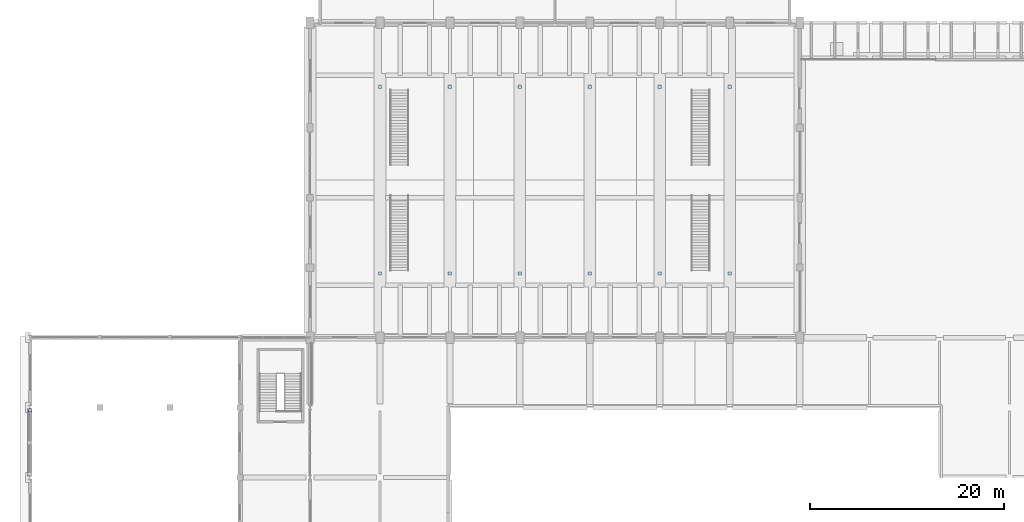
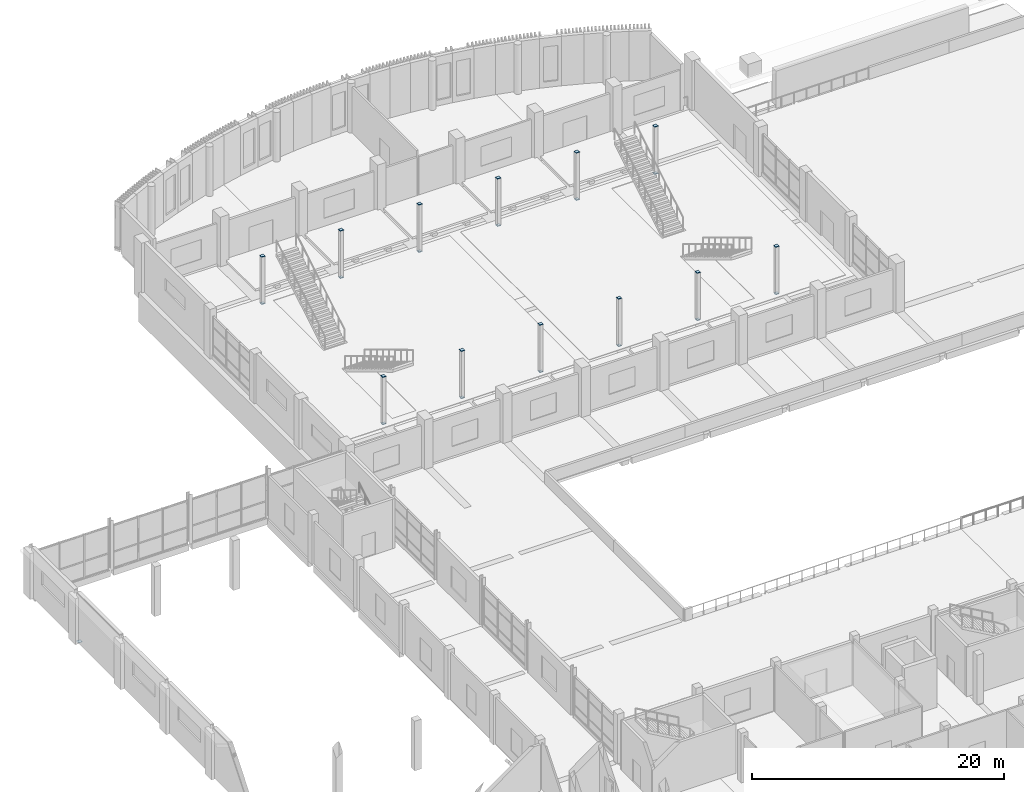
# One storey, part 54 of 82: 25 plates.
"""IFC4 building model written with IfcOpenShell, lengths in metres."""

from ifc_helpers import new_model, si_unit, direction, frame, origin, origin_2d, place, context, subcontext, project, spatial, rectangle, extrude, material, layer, layer_set, type_object, element, save


model = new_model("IFC4")

# Units and contexts
model_context = context("Model", 3, precision=1e-05, world=origin(), true_north=direction((0.0, 1.0)))
body_context = subcontext(model_context, "Body", "Model", "MODEL_VIEW")
ifc_project = project(units=[si_unit("LENGTHUNIT", "METRE"), si_unit("AREAUNIT", "SQUARE_METRE"), si_unit("VOLUMEUNIT", "CUBIC_METRE"), si_unit("PLANEANGLEUNIT", "RADIAN"), si_unit("MASSUNIT", "GRAM", prefix="KILO")], contexts=[model_context])

# Site, building, storey
site_placement = place(None, origin())
site = spatial("IfcSite", under=ifc_project, at=site_placement, CompositionType="ELEMENT")
building_placement = place(site_placement, origin())
building = spatial("IfcBuilding", under=site, at=building_placement, Name="Sardonyx Promenade Sports Hall", CompositionType="ELEMENT")
storey_placement = place(building_placement, frame((0.0, 0.0, 11.199951171875)))
storey = spatial("IfcBuildingStorey", under=building, at=storey_placement, Name="L02", CompositionType="ELEMENT", Elevation=11.199951171875)

# Plates
ifc_material_1 = material(Name="Steel S355JR", Category="steel")
ifc_layer_1 = layer(ifc_material_1, 0.02001953125)
ifc_layer_set_1 = layer_set([ifc_layer_1], Name="Plt_EndCap_EC1")
plate_type_1 = type_object("IfcPlateType", Name="Plt_EndCap_EC1", PredefinedType="USERDEFINED", material=ifc_layer_set_1)
plate_placement = place(storey_placement, frame((0.0, 64.5, 0.010009765625), z_axis=(0.0, 0.0, 1.0), x_axis=(1.0, 0.0, 0.0)))
element("IfcPlate", 1, at=plate_placement, inside=storey, type_object=plate_type_1, Name="Brace foot end-cap plate EC1 BF2 L02 L2", ObjectType="END CAP PLATE", PredefinedType="USERDEFINED", context=body_context, shape_type="SweptSolid", body=[
    extrude(rectangle(XDim=0.360107421875, YDim=0.360107421875, at=origin_2d()), origin(), (0.0, 0.0, 1.0), 0.02001953125),
])
ifc_material_2 = material(Name="Steel S355JR", Category="steel")
ifc_layer_2 = layer(ifc_material_2, 0.01611328125)
ifc_layer_set_2 = layer_set([ifc_layer_2], Name="Plt_EndCap_EC2")
plate_type_2 = type_object("IfcPlateType", Name="Plt_EndCap_EC2", PredefinedType="USERDEFINED", material=ifc_layer_set_2)
for number, where, z_axis, x_axis, name in (
    (2, (36.0, 78.60009765625, -0.01611328125), (0.0, 0.0, 1.0), (1.0, 0.0, 0.0), "Column end-cap plate EC2 L02 #61"),
    (3, (36.0, 78.60009765625, 4.580078125), (0.0, 0.0, 1.0), (1.0, 0.0, 0.0), "Column end-cap plate EC2 L02 #62"),
    (4, (36.0, 97.800048828125, -0.01611328125), (0.0, 0.0, 1.0), (1.0, 0.0, 0.0), "Column end-cap plate EC2 L02 #63"),
    (5, (36.0, 97.800048828125, 4.580078125), (0.0, 0.0, 1.0), (1.0, 0.0, 0.0), "Column end-cap plate EC2 L02 #64"),
    (6, (43.199951171875, 78.60009765625, -0.01611328125), (0.0, 0.0, 1.0), (1.0, 0.0, 0.0), "Column end-cap plate EC2 L02 #65"),
    (7, (43.199951171875, 78.60009765625, 4.580078125), (0.0, 0.0, 1.0), (1.0, 0.0, 0.0), "Column end-cap plate EC2 L02 #66"),
    (8, (43.199951171875, 97.800048828125, -0.01611328125), (0.0, 0.0, 1.0), (1.0, 0.0, 0.0), "Column end-cap plate EC2 L02 #67"),
    (9, (43.199951171875, 97.800048828125, 4.580078125), (0.0, 0.0, 1.0), (1.0, 0.0, 0.0), "Column end-cap plate EC2 L02 #68"),
    (10, (50.39990234375, 78.60009765625, -0.01611328125), (0.0, 0.0, 1.0), (1.0, 0.0, 0.0), "Column end-cap plate EC2 L02 #69"),
    (11, (50.39990234375, 78.60009765625, 4.580078125), (0.0, 0.0, 1.0), (1.0, 0.0, 0.0), "Column end-cap plate EC2 L02 #70"),
    (12, (50.39990234375, 97.800048828125, -0.01611328125), (0.0, 0.0, 1.0), (1.0, 0.0, 0.0), "Column end-cap plate EC2 L02 #71"),
    (13, (50.39990234375, 97.800048828125, 4.580078125), (0.0, 0.0, 1.0), (1.0, 0.0, 0.0), "Column end-cap plate EC2 L02 #72"),
    (14, (57.60009765625, 78.60009765625, -0.01611328125), (0.0, 0.0, 1.0), (1.0, 0.0, 0.0), "Column end-cap plate EC2 L02 #73"),
    (15, (57.60009765625, 78.60009765625, 4.580078125), (0.0, 0.0, 1.0), (1.0, 0.0, 0.0), "Column end-cap plate EC2 L02 #74"),
    (16, (57.60009765625, 97.800048828125, -0.01611328125), (0.0, 0.0, 1.0), (1.0, 0.0, 0.0), "Column end-cap plate EC2 L02 #75"),
    (17, (57.60009765625, 97.800048828125, 4.580078125), (0.0, 0.0, 1.0), (1.0, 0.0, 0.0), "Column end-cap plate EC2 L02 #76"),
    (18, (64.800048828125, 78.60009765625, -0.01611328125), (0.0, 0.0, 1.0), (1.0, 0.0, 0.0), "Column end-cap plate EC2 L02 #77"),
    (19, (64.800048828125, 78.60009765625, 4.580078125), (0.0, 0.0, 1.0), (1.0, 0.0, 0.0), "Column end-cap plate EC2 L02 #78"),
    (20, (64.800048828125, 97.800048828125, -0.01611328125), (0.0, 0.0, 1.0), (1.0, 0.0, 0.0), "Column end-cap plate EC2 L02 #79"),
    (21, (64.800048828125, 97.800048828125, 4.580078125), (0.0, 0.0, 1.0), (1.0, 0.0, 0.0), "Column end-cap plate EC2 L02 #80"),
    (22, (72.0, 78.60009765625, -0.01611328125), (0.0, 0.0, 1.0), (1.0, 0.0, 0.0), "Column end-cap plate EC2 L02 #81"),
    (23, (72.0, 78.60009765625, 4.580078125), (0.0, 0.0, 1.0), (1.0, 0.0, 0.0), "Column end-cap plate EC2 L02 #82"),
    (24, (72.0, 97.800048828125, -0.01611328125), (0.0, 0.0, 1.0), (1.0, 0.0, 0.0), "Column end-cap plate EC2 L02 #83"),
    (25, (72.0, 97.800048828125, 4.580078125), (0.0, 0.0, 1.0), (1.0, 0.0, 0.0), "Column end-cap plate EC2 L02 #84"),
):
    element("IfcPlate", number, at=place(storey_placement, frame(where, z_axis=z_axis, x_axis=x_axis)), inside=storey, type_object=plate_type_2, Name=name, ObjectType="END CAP PLATE", PredefinedType="USERDEFINED", context=body_context, shape_type="SweptSolid", body=[
        extrude(rectangle(XDim=0.320068359375, YDim=0.320068359375, at=origin_2d()), origin(), (0.0, 0.0, 1.0), 0.01611328125),
    ])

save(model, "model.ifc")
